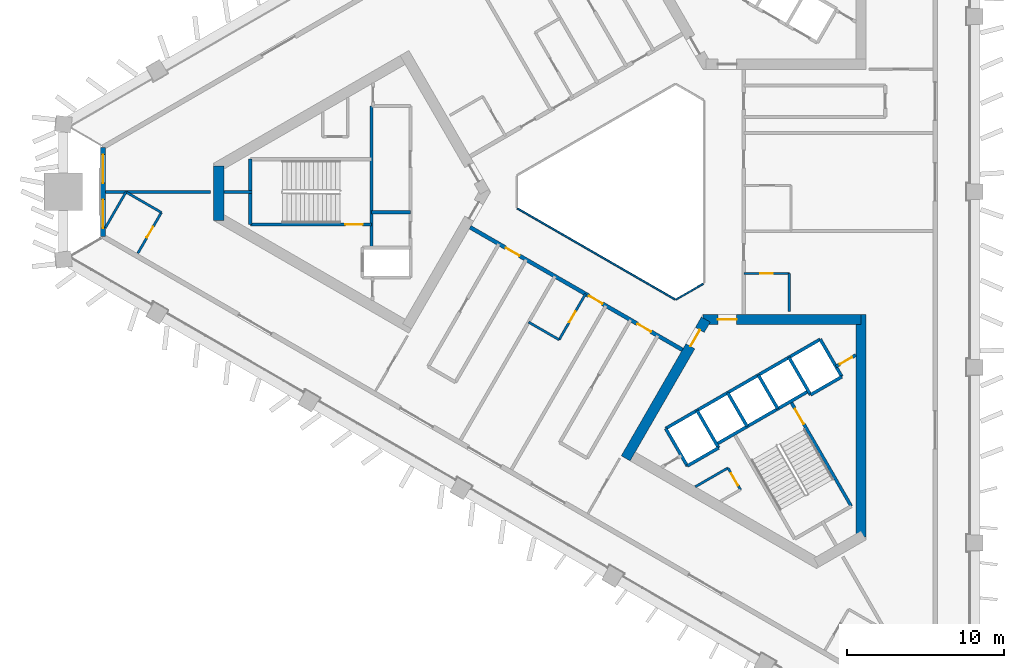
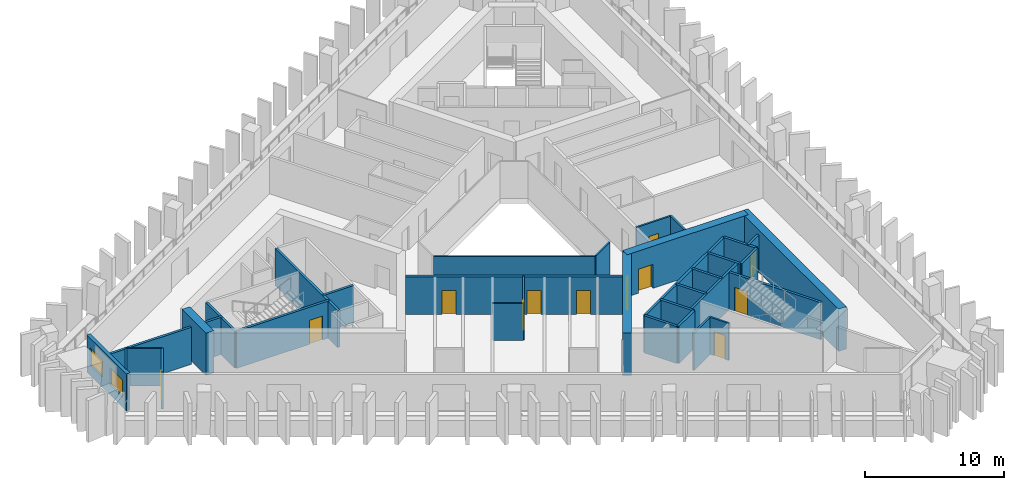
# One storey, part 3 of 10: 35 walls, 12 doors, 2 windows, 14 openings.
"""IFC4 building model written with IfcOpenShell, lengths in metres."""

from ifc_helpers import new_model, si_unit, direction, frame, frame_2d, origin, place, context, subcontext, project, spatial, rectangle, extrude, material, layer, layer_set, type_object, element, fill, save


model = new_model("IFC4")

# Units and contexts
model_context = context("Model", 3, precision=1e-05, world=origin(), true_north=direction((0.0, 1.0)))
body_context = subcontext(model_context, "Body", "Model", "MODEL_VIEW")
ifc_project = project(units=[si_unit("LENGTHUNIT", "METRE"), si_unit("AREAUNIT", "SQUARE_METRE"), si_unit("VOLUMEUNIT", "CUBIC_METRE"), si_unit("PLANEANGLEUNIT", "RADIAN"), si_unit("MASSUNIT", "GRAM", prefix="KILO")], contexts=[model_context])

# Site, building, storey
site_placement = place(None, origin())
site = spatial("IfcSite", under=ifc_project, at=site_placement, CompositionType="ELEMENT")
building_placement = place(site_placement, origin())
building = spatial("IfcBuilding", under=site, at=building_placement, Name="Jabali Bay Hotel Tower and Convention Centre", CompositionType="ELEMENT")
storey_placement = place(building_placement, frame((0.0, 0.0, 140.10009765625)))
storey = spatial("IfcBuildingStorey", under=building, at=storey_placement, Name="L34", CompositionType="ELEMENT", Elevation=140.10009765625)

# Walls
ifc_material_1 = material(Name="Fire-resistant glazing", Category="glass")
ifc_layer_1 = layer(ifc_material_1, 0.10009765625)
ifc_layer_set_1 = layer_set([ifc_layer_1], Name="Fire-resistant glazing")
wall_type_1 = type_object("IfcWallType", Name="Atrium glazed screen 100", PredefinedType="PARTITIONING", material=ifc_layer_set_1)
wall_1_placement = place(storey_placement, frame((67.7021484375, 78.947998046875, 0.0), z_axis=(0.0, 0.0, 1.0), x_axis=(0.866026658274, -0.499997827154, 0.0)))
element("IfcWall", 1, at=wall_1_placement, inside=storey, type_object=wall_type_1, Name="Atrium screen 5 L34", PredefinedType="PARTITIONING", context=body_context, shape_type="SweptSolid", body=[
    extrude(rectangle(XDim=11.58837890625, YDim=0.10009765625, at=frame_2d((5.794189453125, 0.0))), origin(), (0.0, 0.0, 1.0), 3.25),
])
wall_2_placement = place(storey_placement, frame((77.7978515625, 73.15380859375, 0.0), z_axis=(0.0, 0.0, 1.0), x_axis=(0.866041268327, 0.499972520799, 0.0)))
element("IfcWall", 2, at=wall_2_placement, inside=storey, type_object=wall_type_1, Name="Atrium screen 6 L34", PredefinedType="PARTITIONING", context=body_context, shape_type="SweptSolid", body=[
    extrude(rectangle(XDim=2.0, YDim=0.10009765625, at=frame_2d((1.0, 0.0))), origin(), (0.0, 0.0, 1.0), 3.25),
])
ifc_material_2 = material(Name="Concrete C40", Category="concrete")
ifc_layer_2 = layer(ifc_material_2, 0.199951171875)
ifc_layer_set_2 = layer_set([ifc_layer_2], Name="Concrete C40")
wall_type_2 = type_object("IfcWallType", Name="Core partition wall 200", PredefinedType="PARTITIONING", material=ifc_layer_set_2)
wall_3_placement = place(storey_placement, frame((50.820068359375, 80.0, 0.0), z_axis=(0.0, 0.0, 1.0), x_axis=(-1.0, 0.0, 0.0)))
element("IfcWall", 3, at=wall_3_placement, inside=storey, type_object=wall_type_2, Name="Core wall 0.3 L34", PredefinedType="PARTITIONING", context=body_context, shape_type="SweptSolid", body=[
    extrude(rectangle(XDim=1.773193359375, YDim=0.199951171875, at=frame_2d((0.88671875, 0.0))), origin(), (0.0, 0.0, 1.0), 3.25),
])

# Wall, opening, door
wall_4_placement = place(storey_placement, frame((87.964599609375, 68.89453125, 0.0), z_axis=(0.0, 0.0, 1.0), x_axis=(0.866054810376, 0.49994906283, 0.0)))
wall_4 = element("IfcWall", 4, at=wall_4_placement, inside=storey, type_object=wall_type_2, Name="Core wall 2.12 L34", PredefinedType="PARTITIONING", context=body_context, shape_type="SweptSolid", body=[
    extrude(rectangle(XDim=1.461181640625, YDim=0.199951171875, at=frame_2d((0.73046875, 0.0))), origin(), (0.0, 0.0, 1.0), 3.25),
])
opening_1_placement = place(wall_4_placement, frame((0.280517578125, 0.0, 0.0)))
opening_1 = element("IfcOpeningElement", 5, at=opening_1_placement, cuts=wall_4, Name="Opening D758", PredefinedType="OPENING", context=body_context, shape_type="SweptSolid", body=[
    extrude(rectangle(XDim=0.89990234375, YDim=2.10009765625, at=frame_2d((0.449951171875, 1.050048828125))), frame((0.0, 0.1103515625, 0.0), z_axis=(0.0, -1.0, 0.0), x_axis=(1.0, 0.0, 0.0)), (0.0, 0.0, 1.0), 0.220947265625),
])
ifc_material_3 = material(Name="Fire-rated steel door", Category="steel")
door_type_1 = type_object("IfcDoorType", Name="Vestibule fire door 900 x 2100", OperationType="NOTDEFINED", PredefinedType="NOTDEFINED", material=ifc_material_3)
door_1_placement = place(opening_1_placement, origin())
door_1 = element("IfcDoor", 6, at=door_1_placement, inside=storey, type_object=door_type_1, Name="Vestibule fire door D758", OperationType="SINGLE_SWING_LEFT", OverallHeight=2.10009765625, OverallWidth=0.89990234375, PredefinedType="NOTDEFINED", context=body_context, shape_type="SweptSolid", body=[
    extrude(rectangle(XDim=0.89990234375, YDim=2.10009765625, at=frame_2d((0.449951171875, 1.050048828125))), frame((0.0, 0.02490234375, 0.0), z_axis=(0.0, -1.0, 0.0), x_axis=(1.0, 0.0, 0.0)), (0.0, 0.0, 1.0), 0.050048828125),
])
fill(opening_1, door_1)

ifc_material_4 = material(Name="Fire-rated board partition")
ifc_layer_3 = layer(ifc_material_4, 0.14990234375)
ifc_layer_set_3 = layer_set([ifc_layer_3], Name="Fire-rated board partition")
wall_type_3 = type_object("IfcWallType", Name="Core room partition 150", PredefinedType="PARTITIONING", material=ifc_layer_set_3)
wall_5_placement = place(storey_placement, frame((81.093994140625, 62.445068359375, 0.0), z_axis=(0.0, 0.0, 1.0), x_axis=(0.499880961361, -0.866094119867, 0.0)))
wall_5 = element("IfcWall", 7, at=wall_5_placement, inside=storey, type_object=wall_type_3, Name="Core wall 2.1 L34", PredefinedType="PARTITIONING", context=body_context, shape_type="SweptSolid", body=[
    extrude(rectangle(XDim=1.60009765625, YDim=0.14990234375, at=frame_2d((0.800048828125, 0.0))), origin(), (0.0, 0.0, 1.0), 3.25),
])
opening_2_placement = place(wall_5_placement, frame((0.387451171875, 0.0, 0.0)))
opening_2 = element("IfcOpeningElement", 8, at=opening_2_placement, cuts=wall_5, Name="Opening D761", PredefinedType="OPENING", context=body_context, shape_type="SweptSolid", body=[
    extrude(rectangle(XDim=0.89990234375, YDim=2.10009765625, at=frame_2d((0.449951171875, 1.050048828125))), frame((0.0, 0.08544921875, 0.0), z_axis=(0.0, -1.0, 0.0), x_axis=(1.0, 0.0, 0.0)), (0.0, 0.0, 1.0), 0.1708984375),
])
door_type_2 = type_object("IfcDoorType", Name="Core room door 900 x 2100", OperationType="NOTDEFINED", PredefinedType="NOTDEFINED", material=ifc_material_3)
door_2_placement = place(opening_2_placement, origin())
door_2 = element("IfcDoor", 9, at=door_2_placement, inside=storey, type_object=door_type_2, Name="Core room door D761", OperationType="SINGLE_SWING_LEFT", OverallHeight=2.10009765625, OverallWidth=0.89990234375, PredefinedType="NOTDEFINED", context=body_context, shape_type="SweptSolid", body=[
    extrude(rectangle(XDim=0.89990234375, YDim=2.10009765625, at=frame_2d((0.449951171875, 1.050048828125))), frame((0.0, 0.02490234375, 0.0), z_axis=(0.0, -1.0, 0.0), x_axis=(1.0, 0.0, 0.0)), (0.0, 0.0, 1.0), 0.050048828125),
])
fill(opening_2, door_2)

# Walls
wall_6_placement = place(storey_placement, frame((79.02001953125, 61.247802734375, 0.0), z_axis=(0.0, 0.0, 1.0), x_axis=(0.866051471819, 0.499954846121, 0.0)))
element("IfcWall", 10, at=wall_6_placement, inside=storey, type_object=wall_type_3, Name="Core wall 2.16 L34", PredefinedType="PARTITIONING", context=body_context, shape_type="SweptSolid", body=[
    extrude(rectangle(XDim=2.394775390625, YDim=0.14990234375, at=frame_2d((1.197265625, 0.0))), origin(), (0.0, 0.0, 1.0), 3.25),
])
ifc_layer_4 = layer(ifc_material_2, 0.199951171875)
ifc_layer_set_4 = layer_set([ifc_layer_4], Name="Concrete C40")
wall_type_4 = type_object("IfcWallType", Name="Core stair wall 200", PredefinedType="SOLIDWALL", material=ifc_layer_set_4)
wall_7_placement = place(storey_placement, frame((60.89990234375, 78.699951171875, 0.0), z_axis=(0.0, 0.0, 1.0), x_axis=(-1.0, 0.0, 0.0)))
element("IfcWall", 11, at=wall_7_placement, inside=storey, type_object=wall_type_4, Name="Core wall 0.4 L34", PredefinedType="SOLIDWALL", context=body_context, shape_type="SweptSolid", body=[
    extrude(rectangle(XDim=2.47998046875, YDim=0.199951171875, at=frame_2d((1.239990234375, 0.0))), origin(), (0.0, 0.0, 1.0), 3.25),
])

# Wall, opening, door
wall_8_placement = place(storey_placement, frame((58.419921875, 77.925048828125, 0.0), z_axis=(0.0, 0.0, 1.0), x_axis=(-1.0, 0.0, 0.0)))
wall_8 = element("IfcWall", 12, at=wall_8_placement, inside=storey, type_object=wall_type_4, Name="Core wall 0.5 L34", PredefinedType="SOLIDWALL", context=body_context, shape_type="SweptSolid", body=[
    extrude(rectangle(XDim=7.699951171875, YDim=0.199951171875, at=frame_2d((3.85009765625, 0.0))), origin(), (0.0, 0.0, 1.0), 3.25),
])
opening_3_placement = place(wall_8_placement, frame((0.550048828125, 0.0, 0.0)))
opening_3 = element("IfcOpeningElement", 13, at=opening_3_placement, cuts=wall_8, Name="Opening D748", PredefinedType="OPENING", context=body_context, shape_type="SweptSolid", body=[
    extrude(rectangle(XDim=1.10009765625, YDim=2.10009765625, at=frame_2d((0.550048828125, 1.050048828125))), frame((0.0, 0.1103515625, 0.0), z_axis=(0.0, -1.0, 0.0), x_axis=(1.0, 0.0, 0.0)), (0.0, 0.0, 1.0), 0.220947265625),
])
door_type_3 = type_object("IfcDoorType", Name="Stair fire door 1100 x 2100", OperationType="NOTDEFINED", PredefinedType="NOTDEFINED", material=ifc_material_3)
door_3_placement = place(opening_3_placement, origin())
door_3 = element("IfcDoor", 14, at=door_3_placement, inside=storey, type_object=door_type_3, Name="Stair fire door D748", OperationType="SINGLE_SWING_RIGHT", OverallHeight=2.10009765625, OverallWidth=1.10009765625, PredefinedType="NOTDEFINED", context=body_context, shape_type="SweptSolid", body=[
    extrude(rectangle(XDim=1.10009765625, YDim=2.10009765625, at=frame_2d((0.550048828125, 1.050048828125))), frame((0.0, 0.02490234375, 0.0), z_axis=(0.0, -1.0, 0.0), x_axis=(1.0, 0.0, 0.0)), (0.0, 0.0, 1.0), 0.050048828125),
])
fill(opening_3, door_3)

# Walls
wall_9_placement = place(storey_placement, frame((58.419921875, 85.449951171875, 0.0), z_axis=(0.0, 0.0, 1.0), x_axis=(0.0, -1.0, 0.0)))
element("IfcWall", 15, at=wall_9_placement, inside=storey, type_object=wall_type_4, Name="Core wall 0.11 L34", PredefinedType="SOLIDWALL", context=body_context, shape_type="SweptSolid", body=[
    extrude(rectangle(XDim=9.0, YDim=0.199951171875, at=frame_2d((4.5, 0.0))), origin(), (0.0, 0.0, 1.0), 3.25),
])
wall_10_placement = place(storey_placement, frame((50.719970703125, 82.074951171875, 0.0), z_axis=(0.0, 0.0, 1.0), x_axis=(0.0, -1.0, 0.0)))
element("IfcWall", 16, at=wall_10_placement, inside=storey, type_object=wall_type_4, Name="Core wall 0.15 L34", PredefinedType="SOLIDWALL", context=body_context, shape_type="SweptSolid", body=[
    extrude(rectangle(XDim=4.14990234375, YDim=0.199951171875, at=frame_2d((2.074951171875, 0.0))), origin(), (0.0, 0.0, 1.0), 3.25),
])
for number, where, z_axis, x_axis, name in (
    (17, (77.13525390625, 64.95166015625, 0.0), (0.0, 0.0, 1.0), (0.499996545922, -0.866027397988, 0.0), "Core wall 2.0 L34"),
    (18, (79.127197265625, 66.1015625, 0.0), (0.0, 0.0, 1.0), (0.499996545922, -0.866027397988, 0.0), "Core wall 2.2 L34"),
):
    element("IfcWall", number, at=place(storey_placement, frame(where, z_axis=z_axis, x_axis=x_axis)), inside=storey, type_object=wall_type_4, Name=name, PredefinedType="SOLIDWALL", context=body_context, shape_type="SweptSolid", body=[
        extrude(rectangle(XDim=2.75, YDim=0.199951171875, at=frame_2d((1.375, 0.0))), origin(), (0.0, 0.0, 1.0), 3.25),
    ])
for number, where, z_axis, x_axis, name in (
    (19, (81.07568359375, 67.2265625, 0.0), (0.0, 0.0, 1.0), (0.50000366821, -0.866023285932, 0.0), "Core wall 2.4 L34"),
    (20, (83.024169921875, 68.3515625, 0.0), (0.0, 0.0, 1.0), (0.50000366821, -0.866023285932, 0.0), "Core wall 2.6 L34"),
):
    element("IfcWall", number, at=place(storey_placement, frame(where, z_axis=z_axis, x_axis=x_axis)), inside=storey, type_object=wall_type_4, Name=name, PredefinedType="SOLIDWALL", context=body_context, shape_type="SweptSolid", body=[
        extrude(rectangle(XDim=2.47998046875, YDim=0.199951171875, at=frame_2d((1.239990234375, 0.0))), origin(), (0.0, 0.0, 1.0), 3.25),
    ])

# Wall, opening, door
wall_11_placement = place(storey_placement, frame((85.0869140625, 66.6787109375, 0.0), z_axis=(0.0, 0.0, 1.0), x_axis=(0.500019787375, -0.866013979237, 0.0)))
wall_11 = element("IfcWall", 21, at=wall_11_placement, inside=storey, type_object=wall_type_4, Name="Core wall 2.7 L34", PredefinedType="SOLIDWALL", context=body_context, shape_type="SweptSolid", body=[
    extrude(rectangle(XDim=7.699951171875, YDim=0.199951171875, at=frame_2d((3.85009765625, 0.0))), origin(), (0.0, 0.0, 1.0), 3.25),
])
opening_4_placement = place(wall_11_placement, frame((0.550048828125, 0.0, 0.0)))
opening_4 = element("IfcOpeningElement", 22, at=opening_4_placement, cuts=wall_11, Name="Opening D760", PredefinedType="OPENING", context=body_context, shape_type="SweptSolid", body=[
    extrude(rectangle(XDim=1.10009765625, YDim=2.10009765625, at=frame_2d((0.550048828125, 1.050048828125))), frame((0.0, 0.1103515625, 0.0), z_axis=(0.0, -1.0, 0.0), x_axis=(1.0, 0.0, 0.0)), (0.0, 0.0, 1.0), 0.220947265625),
])
door_4_placement = place(opening_4_placement, origin())
door_4 = element("IfcDoor", 23, at=door_4_placement, inside=storey, type_object=door_type_3, Name="Stair fire door D760", OperationType="SINGLE_SWING_RIGHT", OverallHeight=2.10009765625, OverallWidth=1.10009765625, PredefinedType="NOTDEFINED", context=body_context, shape_type="SweptSolid", body=[
    extrude(rectangle(XDim=1.10009765625, YDim=2.10009765625, at=frame_2d((0.550048828125, 1.050048828125))), frame((0.0, 0.02490234375, 0.0), z_axis=(0.0, -1.0, 0.0), x_axis=(1.0, 0.0, 0.0)), (0.0, 0.0, 1.0), 0.050048828125),
])
fill(opening_4, door_4)

# Walls
for number, where, z_axis, x_axis, name in (
    (24, (84.972900390625, 69.4765625, 0.0), (0.0, 0.0, 1.0), (0.499996545922, -0.866027397988, 0.0), "Core wall 2.8 L34"),
    (25, (86.964599609375, 70.62646484375, 0.0), (0.0, 0.0, 1.0), (0.499996545922, -0.866027397988, 0.0), "Core wall 2.9 L34"),
):
    element("IfcWall", number, at=place(storey_placement, frame(where, z_axis=z_axis, x_axis=x_axis)), inside=storey, type_object=wall_type_4, Name=name, PredefinedType="SOLIDWALL", context=body_context, shape_type="SweptSolid", body=[
        extrude(rectangle(XDim=2.75, YDim=0.199951171875, at=frame_2d((1.375, 0.0))), origin(), (0.0, 0.0, 1.0), 3.25),
    ])
wall_12_placement = place(storey_placement, frame((77.13525390625, 64.95166015625, 0.0), z_axis=(0.0, 0.0, 1.0), x_axis=(0.866031916153, 0.499988720078, 0.0)))
element("IfcWall", 26, at=wall_12_placement, inside=storey, type_object=wall_type_4, Name="Core wall 2.10 L34", PredefinedType="SOLIDWALL", context=body_context, shape_type="SweptSolid", body=[
    extrude(rectangle(XDim=11.349853515625, YDim=0.199951171875, at=frame_2d((5.6748046875, 0.0))), origin(), (0.0, 0.0, 1.0), 3.25),
])
wall_13_placement = place(storey_placement, frame((80.3671875, 63.953857421875, 0.0), z_axis=(0.0, 0.0, 1.0), x_axis=(0.866026575979, 0.499997969693, 0.0)))
element("IfcWall", 27, at=wall_13_placement, inside=storey, type_object=wall_type_4, Name="Core wall 2.13 L34", PredefinedType="SOLIDWALL", context=body_context, shape_type="SweptSolid", body=[
    extrude(rectangle(XDim=6.75, YDim=0.199951171875, at=frame_2d((3.375, 0.0))), origin(), (0.0, 0.0, 1.0), 3.25),
])
wall_14_placement = place(storey_placement, frame((78.51025390625, 62.570068359375, 0.0), z_axis=(0.0, 0.0, 1.0), x_axis=(0.866053019151, 0.499952165731, 0.0)))
element("IfcWall", 28, at=wall_14_placement, inside=storey, type_object=wall_type_4, Name="Core wall 2.14 L34", PredefinedType="SOLIDWALL", context=body_context, shape_type="SweptSolid", body=[
    extrude(rectangle(XDim=2.300048828125, YDim=0.199951171875, at=frame_2d((1.14990234375, 0.0))), origin(), (0.0, 0.0, 1.0), 3.25),
])
wall_15_placement = place(storey_placement, frame((86.347900390625, 67.094970703125, 0.0), z_axis=(0.0, 0.0, 1.0), x_axis=(0.86602648383, 0.499998129301, 0.0)))
element("IfcWall", 29, at=wall_15_placement, inside=storey, type_object=wall_type_4, Name="Core wall 2.15 L34", PredefinedType="SOLIDWALL", context=body_context, shape_type="SweptSolid", body=[
    extrude(rectangle(XDim=2.2998046875, YDim=0.199951171875, at=frame_2d((1.14990234375, 0.0))), origin(), (0.0, 0.0, 1.0), 3.25),
])
ifc_material_5 = material(Name="Concrete C60", Category="concrete")
ifc_layer_5 = layer(ifc_material_5, 0.64990234375)
ifc_layer_set_5 = layer_set([ifc_layer_5], Name="Concrete C60")
wall_type_5 = type_object("IfcWallType", Name="Core wall 650", PredefinedType="SHEAR", material=ifc_layer_set_5)
wall_16_placement = place(storey_placement, frame((48.721923828125, 81.635009765625, 0.0), z_axis=(0.0, 0.0, 1.0), x_axis=(0.0, -1.0, 0.0)))
element("IfcWall", 30, at=wall_16_placement, inside=storey, type_object=wall_type_5, Name="Core wall 1.3 L34", PredefinedType="SHEAR", context=body_context, shape_type="SweptSolid", body=[
    extrude(rectangle(XDim=3.457763671875, YDim=0.64990234375, at=frame_2d((1.72900390625, 0.0))), origin(), (0.0, 0.0, 1.0), 3.699951171875),
])

# Wall, opening, door
wall_17_placement = place(storey_placement, frame((79.687744140625, 71.880859375, 0.0), z_axis=(0.0, 0.0, 1.0), x_axis=(-0.49999822179, -0.866026430432, 0.0)))
wall_17 = element("IfcWall", 31, at=wall_17_placement, inside=storey, type_object=wall_type_5, Name="Core wall 3.1 L34", PredefinedType="SHEAR", context=body_context, shape_type="SweptSolid", body=[
    extrude(rectangle(XDim=10.1923828125, YDim=0.64990234375, at=frame_2d((5.09619140625, 0.0))), origin(), (0.0, 0.0, 1.0), 3.699951171875),
])
opening_5_placement = place(wall_17_placement, frame((0.762451171875, 0.0, 0.0)))
opening_5 = element("IfcOpeningElement", 32, at=opening_5_placement, cuts=wall_17, Name="Opening D756", PredefinedType="OPENING", context=body_context, shape_type="SweptSolid", body=[
    extrude(rectangle(XDim=1.199951171875, YDim=2.10009765625, at=frame_2d((0.60009765625, 1.050048828125))), frame((0.0, 0.33544921875, 0.0), z_axis=(0.0, -1.0, 0.0), x_axis=(1.0, 0.0, 0.0)), (0.0, 0.0, 1.0), 0.6708984375),
])
door_type_4 = type_object("IfcDoorType", Name="Corridor end fire door 1200 x 2100", OperationType="NOTDEFINED", PredefinedType="NOTDEFINED", material=ifc_material_3)
door_5_placement = place(opening_5_placement, origin())
door_5 = element("IfcDoor", 33, at=door_5_placement, inside=storey, type_object=door_type_4, Name="Corridor end fire door D756", OperationType="SINGLE_SWING_RIGHT", OverallHeight=2.10009765625, OverallWidth=1.199951171875, PredefinedType="NOTDEFINED", context=body_context, shape_type="SweptSolid", body=[
    extrude(rectangle(XDim=1.199951171875, YDim=2.10009765625, at=frame_2d((0.60009765625, 1.050048828125))), frame((0.0, 0.02490234375, 0.0), z_axis=(0.0, -1.0, 0.0), x_axis=(1.0, 0.0, 0.0)), (0.0, 0.0, 1.0), 0.050048828125),
])
fill(opening_5, door_5)

# Wall
wall_18_placement = place(storey_placement, frame((89.554931640625, 58.06005859375, 0.0), z_axis=(0.0, 0.0, 1.0), x_axis=(0.0, 1.0, 0.0)))
element("IfcWall", 34, at=wall_18_placement, inside=storey, type_object=wall_type_5, Name="Core wall 3.4 L34", PredefinedType="SHEAR", context=body_context, shape_type="SweptSolid", body=[
    extrude(rectangle(XDim=14.145751953125, YDim=0.64990234375, at=frame_2d((7.07275390625, 0.0))), origin(), (0.0, 0.0, 1.0), 3.699951171875),
])

# Wall, opening, door
wall_19_placement = place(storey_placement, frame((89.554931640625, 71.880859375, 0.0), z_axis=(0.0, 0.0, 1.0), x_axis=(-1.0, 0.0, 0.0)))
wall_19 = element("IfcWall", 35, at=wall_19_placement, inside=storey, type_object=wall_type_5, Name="Core wall 3.5 L34", PredefinedType="SHEAR", context=body_context, shape_type="SweptSolid", body=[
    extrude(rectangle(XDim=10.054931640625, YDim=0.64990234375, at=frame_2d((5.02734375, 0.0))), origin(), (0.0, 0.0, 1.0), 3.699951171875),
])
opening_6_placement = place(wall_19_placement, frame((7.905029296875, 0.0, 0.0)))
opening_6 = element("IfcOpeningElement", 36, at=opening_6_placement, cuts=wall_19, Name="Opening D757", PredefinedType="OPENING", context=body_context, shape_type="SweptSolid", body=[
    extrude(rectangle(XDim=1.199951171875, YDim=2.10009765625, at=frame_2d((0.60009765625, 1.050048828125))), frame((0.0, 0.33544921875, 0.0), z_axis=(0.0, -1.0, 0.0), x_axis=(1.0, 0.0, 0.0)), (0.0, 0.0, 1.0), 0.6708984375),
])
door_6_placement = place(opening_6_placement, origin())
door_6 = element("IfcDoor", 37, at=door_6_placement, inside=storey, type_object=door_type_4, Name="Corridor end fire door D757", OperationType="SINGLE_SWING_LEFT", OverallHeight=2.10009765625, OverallWidth=1.199951171875, PredefinedType="NOTDEFINED", context=body_context, shape_type="SweptSolid", body=[
    extrude(rectangle(XDim=1.199951171875, YDim=2.10009765625, at=frame_2d((0.60009765625, 1.050048828125))), frame((0.0, 0.02490234375, 0.0), z_axis=(0.0, -1.0, 0.0), x_axis=(1.0, 0.0, 0.0)), (0.0, 0.0, 1.0), 0.050048828125),
])
fill(opening_6, door_6)

# Wall, openings, doors
ifc_layer_6 = layer(ifc_material_5, 0.25)
ifc_layer_set_6 = layer_set([ifc_layer_6], Name="Concrete C60")
wall_type_6 = type_object("IfcWallType", Name="Corridor wall 250", PredefinedType="SHEAR", material=ifc_layer_set_6)
wall_20_placement = place(storey_placement, frame((64.699951171875, 77.748291015625, 0.0), z_axis=(0.0, 0.0, 1.0), x_axis=(0.866026492143, -0.499998114903, 0.0)))
wall_20 = element("IfcWall", 38, at=wall_20_placement, inside=storey, type_object=wall_type_6, Name="Corridor wall 3 L34", PredefinedType="SHEAR", context=body_context, shape_type="SweptSolid", body=[
    extrude(rectangle(XDim=15.58837890625, YDim=0.25, at=frame_2d((7.794189453125, 0.0))), origin(), (0.0, 0.0, 1.0), 3.25),
])
opening_7_placement = place(wall_20_placement, frame((2.61767578125, 0.0, 0.0)))
opening_7 = element("IfcOpeningElement", 39, at=opening_7_placement, cuts=wall_20, Name="Opening 3417", PredefinedType="OPENING", context=body_context, shape_type="SweptSolid", body=[
    extrude(rectangle(XDim=1.0, YDim=2.10009765625, at=frame_2d((0.5, 1.050048828125))), frame((0.0, 0.135498046875, 0.0), z_axis=(0.0, -1.0, 0.0), x_axis=(1.0, 0.0, 0.0)), (0.0, 0.0, 1.0), 0.27099609375),
])
opening_8_placement = place(wall_20_placement, frame((8.7265625, 0.0, 0.0)))
opening_8 = element("IfcOpeningElement", 40, at=opening_8_placement, cuts=wall_20, Name="Opening 3422", PredefinedType="OPENING", context=body_context, shape_type="SweptSolid", body=[
    extrude(rectangle(XDim=1.0, YDim=2.10009765625, at=frame_2d((0.5, 1.050048828125))), frame((0.0, 0.135498046875, 0.0), z_axis=(0.0, -1.0, 0.0), x_axis=(1.0, 0.0, 0.0)), (0.0, 0.0, 1.0), 0.27099609375),
])
opening_9_placement = place(wall_20_placement, frame((12.282470703125, 0.0, 0.0)))
opening_9 = element("IfcOpeningElement", 41, at=opening_9_placement, cuts=wall_20, Name="Opening 3423", PredefinedType="OPENING", context=body_context, shape_type="SweptSolid", body=[
    extrude(rectangle(XDim=1.0, YDim=2.10009765625, at=frame_2d((0.5, 1.050048828125))), frame((0.0, 0.135498046875, 0.0), z_axis=(0.0, -1.0, 0.0), x_axis=(1.0, 0.0, 0.0)), (0.0, 0.0, 1.0), 0.27099609375),
])
ifc_material_6 = material(Name="Timber", Category="wood")
door_type_5 = type_object("IfcDoorType", Name="Guest room door 1000 x 2100", OperationType="NOTDEFINED", PredefinedType="NOTDEFINED", material=ifc_material_6)
door_7_placement = place(opening_7_placement, origin())
door_7 = element("IfcDoor", 42, at=door_7_placement, inside=storey, type_object=door_type_5, Name="Door 3417", OperationType="SINGLE_SWING_LEFT", OverallHeight=2.10009765625, OverallWidth=1.0, PredefinedType="NOTDEFINED", context=body_context, shape_type="SweptSolid", body=[
    extrude(rectangle(XDim=1.0, YDim=2.10009765625, at=frame_2d((0.5, 1.050048828125))), frame((0.0, 0.02490234375, 0.0), z_axis=(0.0, -1.0, 0.0), x_axis=(1.0, 0.0, 0.0)), (0.0, 0.0, 1.0), 0.050048828125),
])
fill(opening_7, door_7)
door_8_placement = place(opening_8_placement, origin())
door_8 = element("IfcDoor", 43, at=door_8_placement, inside=storey, type_object=door_type_5, Name="Door 3422", OperationType="SINGLE_SWING_RIGHT", OverallHeight=2.10009765625, OverallWidth=1.0, PredefinedType="NOTDEFINED", context=body_context, shape_type="SweptSolid", body=[
    extrude(rectangle(XDim=1.0, YDim=2.10009765625, at=frame_2d((0.5, 1.050048828125))), frame((0.0, 0.02490234375, 0.0), z_axis=(0.0, -1.0, 0.0), x_axis=(1.0, 0.0, 0.0)), (0.0, 0.0, 1.0), 0.050048828125),
])
fill(opening_8, door_8)
door_9_placement = place(opening_9_placement, origin())
door_9 = element("IfcDoor", 44, at=door_9_placement, inside=storey, type_object=door_type_5, Name="Door 3423", OperationType="SINGLE_SWING_RIGHT", OverallHeight=2.10009765625, OverallWidth=1.0, PredefinedType="NOTDEFINED", context=body_context, shape_type="SweptSolid", body=[
    extrude(rectangle(XDim=1.0, YDim=2.10009765625, at=frame_2d((0.5, 1.050048828125))), frame((0.0, 0.02490234375, 0.0), z_axis=(0.0, -1.0, 0.0), x_axis=(1.0, 0.0, 0.0)), (0.0, 0.0, 1.0), 0.050048828125),
])
fill(opening_9, door_9)

# Wall, openings, windows
ifc_layer_7 = layer(ifc_material_2, 0.300048828125)
ifc_layer_set_7 = layer_set([ifc_layer_7], Name="Concrete C40")
wall_type_7 = type_object("IfcWallType", Name="External wall 300", PredefinedType="SOLIDWALL", material=ifc_layer_set_7)
wall_21_placement = place(storey_placement, frame((41.357666015625, 77.1640625, 0.0), z_axis=(0.0, 0.0, 1.0), x_axis=(0.0, 1.0, 0.0)))
wall_21 = element("IfcWall", 45, at=wall_21_placement, inside=storey, type_object=wall_type_7, Name="External wall west chamfer L34", PredefinedType="SOLIDWALL", context=body_context, shape_type="SweptSolid", body=[
    extrude(rectangle(XDim=5.671875, YDim=0.300048828125, at=frame_2d((2.8359375, 0.0))), origin(), (0.0, 0.0, 1.0), 3.25),
])
opening_10_placement = place(wall_21_placement, frame((0.53515625, 0.0, 0.89990234375)))
opening_10 = element("IfcOpeningElement", 46, at=opening_10_placement, cuts=wall_21, Name="Opening W1", PredefinedType="OPENING", context=body_context, shape_type="SweptSolid", body=[
    extrude(rectangle(XDim=1.800048828125, YDim=1.5, at=frame_2d((0.89990234375, 0.75))), frame((0.0, 0.16064453125, 0.0), z_axis=(0.0, -1.0, 0.0), x_axis=(1.0, 0.0, 0.0)), (0.0, 0.0, 1.0), 0.321044921875),
])
opening_11_placement = place(wall_21_placement, frame((3.396728515625, 0.0, 0.89990234375)))
opening_11 = element("IfcOpeningElement", 47, at=opening_11_placement, cuts=wall_21, Name="Opening W1", PredefinedType="OPENING", context=body_context, shape_type="SweptSolid", body=[
    extrude(rectangle(XDim=1.800048828125, YDim=1.5, at=frame_2d((0.89990234375, 0.75))), frame((0.0, 0.16064453125, 0.0), z_axis=(0.0, -1.0, 0.0), x_axis=(1.0, 0.0, 0.0)), (0.0, 0.0, 1.0), 0.321044921875),
])
ifc_material_7 = material(Name="Glass", Category="glass")
window_type = type_object("IfcWindowType", Name="Window 1800 x 1500", PartitioningType="SINGLE_PANEL", PredefinedType="WINDOW", material=ifc_material_7)
window_1_placement = place(opening_10_placement, origin())
window_1 = element("IfcWindow", 48, at=window_1_placement, inside=storey, type_object=window_type, Name="Window 3409", OverallHeight=1.5, OverallWidth=1.800048828125, PartitioningType="SINGLE_PANEL", PredefinedType="WINDOW", context=body_context, shape_type="SweptSolid", body=[
    extrude(rectangle(XDim=1.800048828125, YDim=1.5, at=frame_2d((0.89990234375, 0.75))), frame((0.0, 0.030029296875, 0.0), z_axis=(0.0, -1.0, 0.0), x_axis=(1.0, 0.0, 0.0)), (0.0, 0.0, 1.0), 0.06005859375),
])
fill(opening_10, window_1)
window_2_placement = place(opening_11_placement, origin())
window_2 = element("IfcWindow", 49, at=window_2_placement, inside=storey, type_object=window_type, Name="Window 3408", OverallHeight=1.5, OverallWidth=1.800048828125, PartitioningType="SINGLE_PANEL", PredefinedType="WINDOW", context=body_context, shape_type="SweptSolid", body=[
    extrude(rectangle(XDim=1.800048828125, YDim=1.5, at=frame_2d((0.89990234375, 0.75))), frame((0.0, 0.030029296875, 0.0), z_axis=(0.0, -1.0, 0.0), x_axis=(1.0, 0.0, 0.0)), (0.0, 0.0, 1.0), 0.06005859375),
])
fill(opening_11, window_2)

# Wall, opening, door
ifc_material_8 = material(Name="Plasterboard on steel stud", Category="steel")
ifc_layer_8 = layer(ifc_material_8, 0.14990234375)
ifc_layer_set_8 = layer_set([ifc_layer_8], Name="Plasterboard on steel stud")
wall_type_8 = type_object("IfcWallType", Name="Partition 150 wet", PredefinedType="PARTITIONING", material=ifc_layer_set_8)
wall_22_placement = place(storey_placement, frame((82.10009765625, 74.8056640625, 0.0), z_axis=(0.0, 0.0, 1.0), x_axis=(1.0, 0.0, 0.0)))
wall_22 = element("IfcWall", 50, at=wall_22_placement, inside=storey, type_object=wall_type_8, Name="Partition P03 L34 001", PredefinedType="PARTITIONING", context=body_context, shape_type="SweptSolid", body=[
    extrude(rectangle(XDim=2.89990234375, YDim=0.14990234375, at=frame_2d((1.449951171875, 0.0))), origin(), (0.0, 0.0, 1.0), 3.25),
])
opening_12_placement = place(wall_22_placement, frame((1.050048828125, 0.0, 0.0)))
opening_12 = element("IfcOpeningElement", 51, at=opening_12_placement, cuts=wall_22, Name="Opening 3401", PredefinedType="OPENING", context=body_context, shape_type="SweptSolid", body=[
    extrude(rectangle(XDim=0.800048828125, YDim=2.10009765625, at=frame_2d((0.39990234375, 1.050048828125))), frame((0.0, 0.08544921875, 0.0), z_axis=(0.0, -1.0, 0.0), x_axis=(1.0, 0.0, 0.0)), (0.0, 0.0, 1.0), 0.1708984375),
])
door_type_6 = type_object("IfcDoorType", Name="En-suite door 800 x 2100", OperationType="NOTDEFINED", PredefinedType="NOTDEFINED", material=ifc_material_6)
door_10_placement = place(opening_12_placement, origin())
door_10 = element("IfcDoor", 52, at=door_10_placement, inside=storey, type_object=door_type_6, Name="Door 3401", OperationType="SINGLE_SWING_LEFT", OverallHeight=2.10009765625, OverallWidth=0.800048828125, PredefinedType="NOTDEFINED", context=body_context, shape_type="SweptSolid", body=[
    extrude(rectangle(XDim=0.800048828125, YDim=2.10009765625, at=frame_2d((0.39990234375, 1.050048828125))), frame((0.0, 0.02490234375, 0.0), z_axis=(0.0, -1.0, 0.0), x_axis=(1.0, 0.0, 0.0)), (0.0, 0.0, 1.0), 0.050048828125),
])
fill(opening_12, door_10)

# Walls
wall_23_placement = place(storey_placement, frame((85.0, 74.8056640625, 0.0), z_axis=(0.0, 0.0, 1.0), x_axis=(0.0, -1.0, 0.0)))
element("IfcWall", 53, at=wall_23_placement, inside=storey, type_object=wall_type_8, Name="Partition P03 L34 002", PredefinedType="PARTITIONING", context=body_context, shape_type="SweptSolid", body=[
    extrude(rectangle(XDim=2.40087890625, YDim=0.14990234375, at=frame_2d((1.200439453125, 0.0))), origin(), (0.0, 0.0, 1.0), 3.25),
])
wall_24_placement = place(storey_placement, frame((41.506591796875, 77.7177734375, 0.0), z_axis=(0.0, 0.0, 1.0), x_axis=(0.499975031064, 0.866039819127, 0.0)))
element("IfcWall", 54, at=wall_24_placement, inside=storey, type_object=wall_type_8, Name="Partition P03 L34 036", PredefinedType="PARTITIONING", context=body_context, shape_type="SweptSolid", body=[
    extrude(rectangle(XDim=2.621826171875, YDim=0.14990234375, at=frame_2d((1.31103515625, 0.0))), origin(), (0.0, 0.0, 1.0), 3.25),
])
wall_25_placement = place(storey_placement, frame((42.8173828125, 79.98828125, 0.0), z_axis=(0.0, 0.0, 1.0), x_axis=(0.866021400173, -0.500006934395, 0.0)))
element("IfcWall", 55, at=wall_25_placement, inside=storey, type_object=wall_type_8, Name="Partition P03 L34 037", PredefinedType="PARTITIONING", context=body_context, shape_type="SweptSolid", body=[
    extrude(rectangle(XDim=2.60009765625, YDim=0.14990234375, at=frame_2d((1.300048828125, 0.0))), origin(), (0.0, 0.0, 1.0), 3.25),
])

# Wall, opening, door
wall_26_placement = place(storey_placement, frame((45.069091796875, 78.688232421875, 0.0), z_axis=(0.0, 0.0, 1.0), x_axis=(-0.500017373705, -0.866015372839, 0.0)))
wall_26 = element("IfcWall", 56, at=wall_26_placement, inside=storey, type_object=wall_type_8, Name="Partition P03 L34 038", PredefinedType="PARTITIONING", context=body_context, shape_type="SweptSolid", body=[
    extrude(rectangle(XDim=2.98583984375, YDim=0.14990234375, at=frame_2d((1.492919921875, 0.0))), origin(), (0.0, 0.0, 1.0), 3.25),
])
opening_13_placement = place(wall_26_placement, frame((1.050048828125, 0.0, 0.0)))
opening_13 = element("IfcOpeningElement", 57, at=opening_13_placement, cuts=wall_26, Name="Opening 3419", PredefinedType="OPENING", context=body_context, shape_type="SweptSolid", body=[
    extrude(rectangle(XDim=0.800048828125, YDim=2.10009765625, at=frame_2d((0.39990234375, 1.050048828125))), frame((0.0, 0.08544921875, 0.0), z_axis=(0.0, -1.0, 0.0), x_axis=(1.0, 0.0, 0.0)), (0.0, 0.0, 1.0), 0.1708984375),
])
door_11_placement = place(opening_13_placement, origin())
door_11 = element("IfcDoor", 58, at=door_11_placement, inside=storey, type_object=door_type_6, Name="Door 3419", OperationType="SINGLE_SWING_LEFT", OverallHeight=2.10009765625, OverallWidth=0.800048828125, PredefinedType="NOTDEFINED", context=body_context, shape_type="SweptSolid", body=[
    extrude(rectangle(XDim=0.800048828125, YDim=2.10009765625, at=frame_2d((0.39990234375, 1.050048828125))), frame((0.0, 0.02490234375, 0.0), z_axis=(0.0, -1.0, 0.0), x_axis=(1.0, 0.0, 0.0)), (0.0, 0.0, 1.0), 0.050048828125),
])
fill(opening_13, door_11)

wall_27_placement = place(storey_placement, frame((72.041015625, 73.510009765625, 0.0), z_axis=(0.0, 0.0, 1.0), x_axis=(-0.499994660107, -0.866028486751, 0.0)))
wall_27 = element("IfcWall", 59, at=wall_27_placement, inside=storey, type_object=wall_type_8, Name="Partition P03 L34 039", PredefinedType="PARTITIONING", context=body_context, shape_type="SweptSolid", body=[
    extrude(rectangle(XDim=3.3642578125, YDim=0.14990234375, at=frame_2d((1.68212890625, 0.0))), origin(), (0.0, 0.0, 1.0), 3.25),
])
opening_14_placement = place(wall_27_placement, frame((1.281982421875, 0.0, 0.0)))
opening_14 = element("IfcOpeningElement", 60, at=opening_14_placement, cuts=wall_27, Name="Opening 3421", PredefinedType="OPENING", context=body_context, shape_type="SweptSolid", body=[
    extrude(rectangle(XDim=0.800048828125, YDim=2.10009765625, at=frame_2d((0.39990234375, 1.050048828125))), frame((0.0, 0.08544921875, 0.0), z_axis=(0.0, -1.0, 0.0), x_axis=(1.0, 0.0, 0.0)), (0.0, 0.0, 1.0), 0.1708984375),
])
door_12_placement = place(opening_14_placement, origin())
door_12 = element("IfcDoor", 61, at=door_12_placement, inside=storey, type_object=door_type_6, Name="Door 3421", OperationType="SINGLE_SWING_LEFT", OverallHeight=2.10009765625, OverallWidth=0.800048828125, PredefinedType="NOTDEFINED", context=body_context, shape_type="SweptSolid", body=[
    extrude(rectangle(XDim=0.800048828125, YDim=2.10009765625, at=frame_2d((0.39990234375, 1.050048828125))), frame((0.0, 0.02490234375, 0.0), z_axis=(0.0, -1.0, 0.0), x_axis=(1.0, 0.0, 0.0)), (0.0, 0.0, 1.0), 0.050048828125),
])
fill(opening_14, door_12)

# Walls
wall_28_placement = place(storey_placement, frame((70.35888671875, 70.596435546875, 0.0), z_axis=(0.0, 0.0, 1.0), x_axis=(-0.866022320763, 0.500005339912, 0.0)))
element("IfcWall", 62, at=wall_28_placement, inside=storey, type_object=wall_type_8, Name="Partition P03 L34 040", PredefinedType="PARTITIONING", context=body_context, shape_type="SweptSolid", body=[
    extrude(rectangle(XDim=2.2412109375, YDim=0.14990234375, at=frame_2d((1.12060546875, 0.0))), origin(), (0.0, 0.0, 1.0), 3.25),
])
ifc_layer_9 = layer(ifc_material_8, 0.199951171875)
ifc_layer_set_9 = layer_set([ifc_layer_9], Name="Plasterboard on steel stud")
wall_type_9 = type_object("IfcWallType", Name="Partition 200 party", PredefinedType="PARTITIONING", material=ifc_layer_set_9)
wall_29_placement = place(storey_placement, frame((41.506591796875, 80.0, 0.0), z_axis=(0.0, 0.0, 1.0), x_axis=(1.0, 0.0, 0.0)))
element("IfcWall", 63, at=wall_29_placement, inside=storey, type_object=wall_type_9, Name="Partition P01 L34 030", PredefinedType="PARTITIONING", context=body_context, shape_type="SweptSolid", body=[
    extrude(rectangle(XDim=6.69140625, YDim=0.199951171875, at=frame_2d((3.345703125, 0.0))), origin(), (0.0, 0.0, 1.0), 3.25),
])

save(model, "model.ifc")
